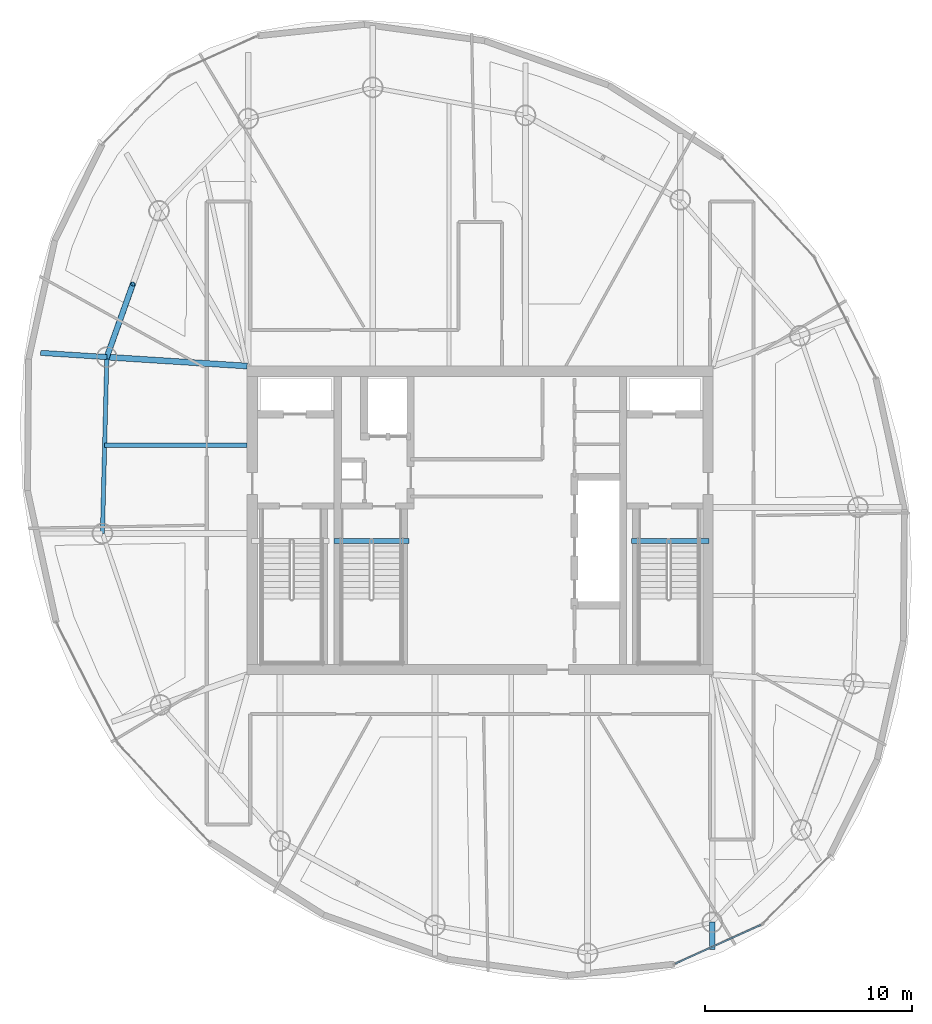
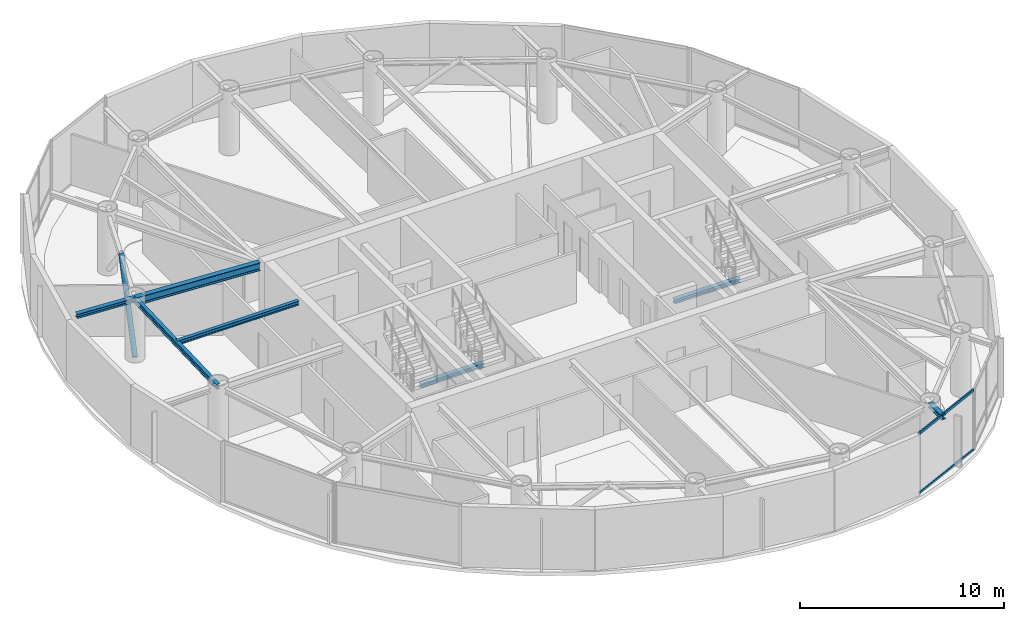
# One storey, part 8 of 22: 7 beams, 3 members, 1 element without a shape of its own.
"""IFC4 building model written with IfcOpenShell, lengths in metres."""

from ifc_helpers import new_model, si_unit, direction, frame, origin, origin_2d, place, context, subcontext, project, spatial, hollow_rectangle, hollow_circle, i_section, extrude, material, layer, layer_set, material_profile, profile_set, type_object, element, aggregate, save


model = new_model("IFC4")

# Units and contexts
model_context = context("Model", 3, precision=1e-05, world=origin(), true_north=direction((0.0, 1.0)))
body_context = subcontext(model_context, "Body", "Model", "MODEL_VIEW")
ifc_project = project(units=[si_unit("LENGTHUNIT", "METRE"), si_unit("AREAUNIT", "SQUARE_METRE"), si_unit("VOLUMEUNIT", "CUBIC_METRE"), si_unit("PLANEANGLEUNIT", "RADIAN"), si_unit("MASSUNIT", "GRAM", prefix="KILO")], contexts=[model_context])

# Site, building, storey
site_placement = place(None, origin())
site = spatial("IfcSite", under=ifc_project, at=site_placement, CompositionType="ELEMENT")
building_placement = place(site_placement, origin())
building = spatial("IfcBuilding", under=site, at=building_placement, Name="Bramvorn Convention Spire", CompositionType="ELEMENT")
storey_placement = place(building_placement, frame((0.0, 0.0, 253.60009765625)))
storey = spatial("IfcBuildingStorey", under=building, at=storey_placement, Name="L64", CompositionType="ELEMENT", Elevation=253.60009765625)

# Beams
ifc_material_1 = material(Name="Steel CSA G40.21 Grade 350 (350W)", Category="steel")
ifc_material_profile_1 = material_profile(ifc_material_1, i_section(OverallWidth=0.201904296875, OverallDepth=0.2470703125, WebThickness=0.00732421875, FlangeThickness=0.010986328125, FilletRadius=0.011962890625, at=origin_2d()))
ifc_profile_set_1 = profile_set([ifc_material_profile_1], Name="Steel CSA G40.21 Grade 350 (350W) - W250X49")
beam_type_1 = type_object("IfcBeamType", Name="BM-W250X49", PredefinedType="JOIST", material=ifc_profile_set_1)
beam_1_placement = place(storey_placement, frame((26.75, 29.626953125, 3.50146484375), z_axis=(-1.0, 0.0, 0.0), x_axis=(0.0, -1.0, 0.0)))
element("IfcBeam", 1, at=beam_1_placement, inside=storey, type_object=beam_type_1, Name="L64 composite floor joist 11", PredefinedType="JOIST", context=body_context, shape_type="SweptSolid", body=[
    extrude(i_section(OverallWidth=0.201904296875, OverallDepth=0.2470703125, WebThickness=0.00732421875, FlangeThickness=0.010986328125, FilletRadius=0.011962890625, at=origin_2d()), origin(), (0.0, 0.0, 1.0), 6.879150390625),
])
ifc_material_profile_2 = material_profile(ifc_material_1, i_section(OverallWidth=0.25390625, OverallDepth=0.2529296875, WebThickness=0.008544921875, FlangeThickness=0.01416015625, FilletRadius=0.011962890625, at=origin_2d()))
ifc_profile_set_2 = profile_set([ifc_material_profile_2], Name="Steel CSA G40.21 Grade 350 (350W) - W250X73")
beam_type_2 = type_object("IfcBeamType", Name="BM-W250X73", PredefinedType="BEAM", material=ifc_profile_set_2)
beam_2_placement = place(storey_placement, frame((49.199951171875, 6.60107421875, 3.498291015625), z_axis=(0.0, -1.0, 0.0), x_axis=(1.0, 0.0, 0.0)))
element("IfcBeam", 2, at=beam_2_placement, inside=storey, type_object=beam_type_2, Name="L64 slab-edge cantilever tip beam MC01", PredefinedType="BEAM", context=body_context, shape_type="SweptSolid", body=[
    extrude(i_section(OverallWidth=0.25390625, OverallDepth=0.2529296875, WebThickness=0.008544921875, FlangeThickness=0.01416015625, FilletRadius=0.011962890625, at=origin_2d()), origin(), (0.0, 0.0, 1.0), 1.310791015625),
])
beam_3_placement = place(storey_placement, frame((19.976318359375, 33.883544921875, 3.498291015625), z_axis=(-0.997959164695, 0.063855349044, 0.0), x_axis=(-0.063855349044, -0.997959164695, 0.0)))
element("IfcBeam", 3, at=beam_3_placement, inside=storey, type_object=beam_type_2, Name="L64 slab-edge cantilever tip beam MC11", PredefinedType="BEAM", context=body_context, shape_type="SweptSolid", body=[
    extrude(i_section(OverallWidth=0.25390625, OverallDepth=0.2529296875, WebThickness=0.008544921875, FlangeThickness=0.01416015625, FilletRadius=0.011962890625, at=origin_2d()), origin(), (0.0, 0.0, 1.0), 3.2001953125),
])
beam_4_placement = place(storey_placement, frame((45.31005859375, 25.010009765625, -0.126708984375), z_axis=(1.0, 0.0, 0.0), x_axis=(0.0, 1.0, 0.0)))
element("IfcBeam", 4, at=beam_4_placement, inside=storey, type_object=beam_type_2, Name="L64 ST2 stair arrival header beam", PredefinedType="BEAM", context=body_context, shape_type="SweptSolid", body=[
    extrude(i_section(OverallWidth=0.25390625, OverallDepth=0.2529296875, WebThickness=0.008544921875, FlangeThickness=0.01416015625, FilletRadius=0.011962890625, at=origin_2d()), origin(), (0.0, 0.0, 1.0), 3.739990234375),
])
beam_5_placement = place(storey_placement, frame((30.949951171875, 25.010009765625, -0.126708984375), z_axis=(1.0, 0.0, 0.0), x_axis=(0.0, 1.0, 0.0)))
element("IfcBeam", 5, at=beam_5_placement, inside=storey, type_object=beam_type_2, Name="L64 ST3 stair arrival header beam", PredefinedType="BEAM", context=body_context, shape_type="SweptSolid", body=[
    extrude(i_section(OverallWidth=0.25390625, OverallDepth=0.2529296875, WebThickness=0.008544921875, FlangeThickness=0.01416015625, FilletRadius=0.011962890625, at=origin_2d()), origin(), (0.0, 0.0, 1.0), 3.610107421875),
])
ifc_material_profile_3 = material_profile(ifc_material_1, i_section(OverallWidth=0.202880859375, OverallDepth=0.302978515625, WebThickness=0.007568359375, FlangeThickness=0.01318359375, FilletRadius=0.013916015625, at=origin_2d()))
ifc_profile_set_3 = profile_set([ifc_material_profile_3], Name="Steel CSA G40.21 Grade 350 (350W) - W310X60")
beam_type_3 = type_object("IfcBeamType", Name="BM-W310X60", PredefinedType="JOIST", material=ifc_profile_set_3)
beam_6_placement = place(storey_placement, frame((19.976318359375, 33.883544921875, 3.473388671875), z_axis=(-0.024770853371, -0.999693155335, 0.0), x_axis=(0.999693155335, -0.024770853371, 0.0)))
element("IfcBeam", 6, at=beam_6_placement, inside=storey, type_object=beam_type_3, Name="L64 mega-column ring beam 11", PredefinedType="JOIST", context=body_context, shape_type="SweptSolid", body=[
    extrude(i_section(OverallWidth=0.202880859375, OverallDepth=0.302978515625, WebThickness=0.007568359375, FlangeThickness=0.01318359375, FilletRadius=0.013916015625, at=origin_2d()), origin(), (0.0, 0.0, 1.0), 8.515625),
])
ifc_material_profile_4 = material_profile(ifc_material_1, i_section(OverallWidth=0.283935546875, OverallDepth=0.47607421875, WebThickness=0.014892578125, FlangeThickness=0.02392578125, FilletRadius=0.01806640625, at=origin_2d()))
ifc_profile_set_4 = profile_set([ifc_material_profile_4], Name="Steel CSA G40.21 Grade 350 (350W) - W460X158")
beam_type_4 = type_object("IfcBeamType", Name="BM-W460X158", PredefinedType="SPANDREL", material=ifc_profile_set_4)
beam_7_placement = place(storey_placement, frame((26.75, 33.449951171875, 3.386962890625), z_axis=(-0.997957536354, 0.063880792379, 0.0), x_axis=(-0.063880792379, -0.997957536354, 0.0)))
element("IfcBeam", 7, at=beam_7_placement, inside=storey, type_object=beam_type_4, Name="L64 radial floor girder MC11", PredefinedType="SPANDREL", context=body_context, shape_type="SweptSolid", body=[
    extrude(i_section(OverallWidth=0.283935546875, OverallDepth=0.47607421875, WebThickness=0.014892578125, FlangeThickness=0.02392578125, FilletRadius=0.01806640625, at=origin_2d()), origin(), (0.0, 0.0, 1.0), 6.78759765625),
])

# Curtain wall, members
ifc_material_2 = material(Name="Anodised Bronze Unitised Curtain Wall", Category="aluminium")
ifc_layer = layer(ifc_material_2, 0.179931640625)
ifc_layer_set = layer_set([ifc_layer], Name="Anodised Bronze Unitised Curtain Wall - CW-OFF-FRIT")
curtain_wall_type = type_object("IfcCurtainWallType", Name="CW-OFF-FRIT", PredefinedType="USERDEFINED", material=ifc_layer_set)
curtain_wall_placement = place(storey_placement, origin())
curtain_wall = element("IfcCurtainWall", 8, at=curtain_wall_placement, inside=storey, type_object=curtain_wall_type, Name="L64 fritted glass curtain wall 24", ObjectType="UNITISED CURTAIN WALL", PredefinedType="USERDEFINED")
ifc_material_3 = material(Name="Anodised Bronze Aluminium 6063-T6", Category="aluminium")
ifc_material_profile_5 = material_profile(ifc_material_3, hollow_rectangle(XDim=0.080078125, YDim=0.159912109375, WallThickness=0.00390625, InnerFilletRadius=0.0009765625, OuterFilletRadius=0.00390625, at=origin_2d()))
ifc_profile_set_5 = profile_set([ifc_material_profile_5], Name="Anodised Bronze Aluminium 6063-T6 - CWT80X160")
member_type_1 = type_object("IfcMemberType", Name="CW-TRN-150", PredefinedType="USERDEFINED", material=ifc_profile_set_5)
member_1_placement = place(storey_placement, frame((51.551025390625, 6.47216796875, 0.02978515625), z_axis=(-0.91100575135, -0.412393648118, 0.0), x_axis=(0.412393648118, -0.91100575135, 0.0)))
member_1 = element("IfcMember", 9, at=member_1_placement, type_object=member_type_1, Name="CW3 transom 1.1", ObjectType="TRANSOM", PredefinedType="USERDEFINED", context=body_context, shape_type="SweptSolid", body=[
    extrude(hollow_rectangle(XDim=0.080078125, YDim=0.159912109375, WallThickness=0.00390625, InnerFilletRadius=0.0009765625, OuterFilletRadius=0.00390625, at=origin_2d()), origin(), (0.0, 0.0, 1.0), 4.53076171875),
])
member_2_placement = place(storey_placement, frame((51.551025390625, 6.47216796875, 3.594970703125), z_axis=(-0.91100575135, -0.412393648118, 0.0), x_axis=(0.412393648118, -0.91100575135, 0.0)))
member_2 = element("IfcMember", 10, at=member_2_placement, type_object=member_type_1, Name="CW3 transom 1.2", ObjectType="TRANSOM", PredefinedType="USERDEFINED", context=body_context, shape_type="SweptSolid", body=[
    extrude(hollow_rectangle(XDim=0.080078125, YDim=0.159912109375, WallThickness=0.00390625, InnerFilletRadius=0.0009765625, OuterFilletRadius=0.00390625, at=origin_2d()), origin(), (0.0, 0.0, 1.0), 4.53076171875),
])
aggregate(curtain_wall, [member_1, member_2])

# Member
ifc_material_profile_6 = material_profile(ifc_material_1, hollow_circle(Radius=0.136474609375, WallThickness=0.0126953125, at=origin_2d()))
ifc_profile_set_6 = profile_set([ifc_material_profile_6], Name="Steel CSA G40.21 Grade 350 (350W) - CHS273X13")
member_type_2 = type_object("IfcMemberType", Name="MBR-CHS273X13", PredefinedType="BRACE", material=ifc_profile_set_6)
member_3_placement = place(storey_placement, frame((19.976318359375, 33.883544921875, 0.0), z_axis=(0.241378577718, 0.677030621771, 0.695245222495), x_axis=(-0.941926002824, 0.335820495509, 0.0)))
element("IfcMember", 11, at=member_3_placement, inside=storey, type_object=member_type_2, Name="L64 perimeter Gothic lancet brace 10B", PredefinedType="BRACE", context=body_context, shape_type="SweptSolid", body=[
    extrude(hollow_circle(Radius=0.136474609375, WallThickness=0.0126953125, at=origin_2d()), origin(), (0.0, 0.0, 1.0), 5.2138671875),
])

save(model, "model.ifc")
